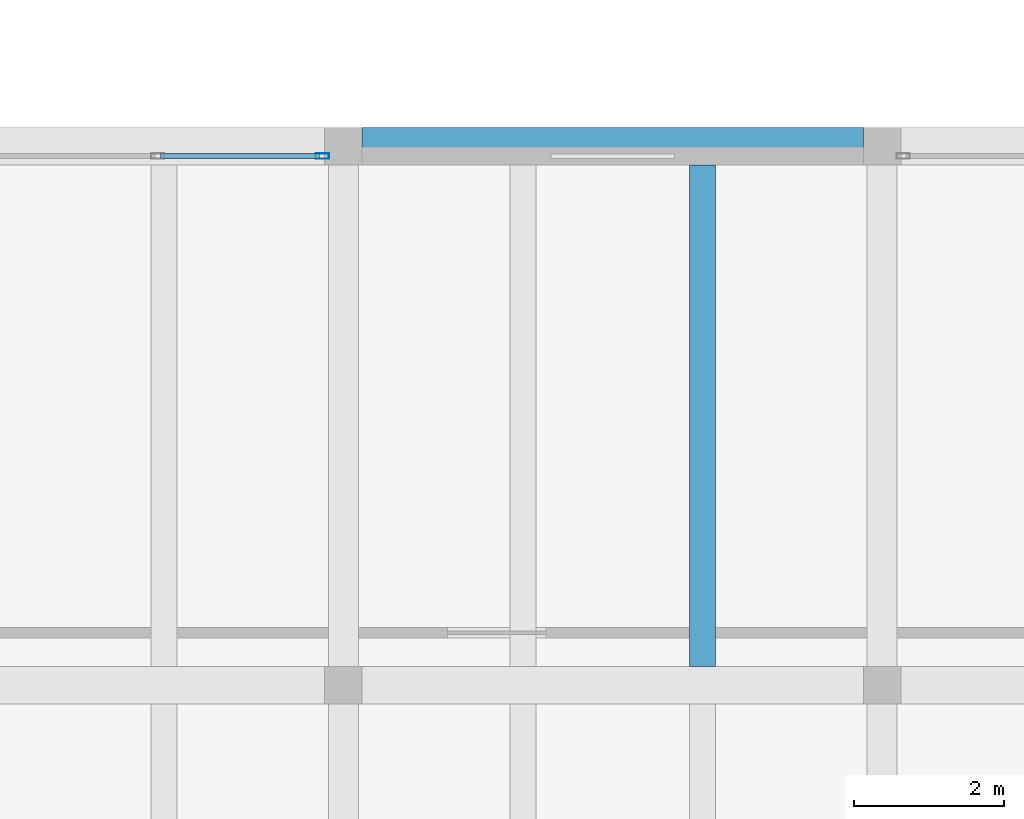
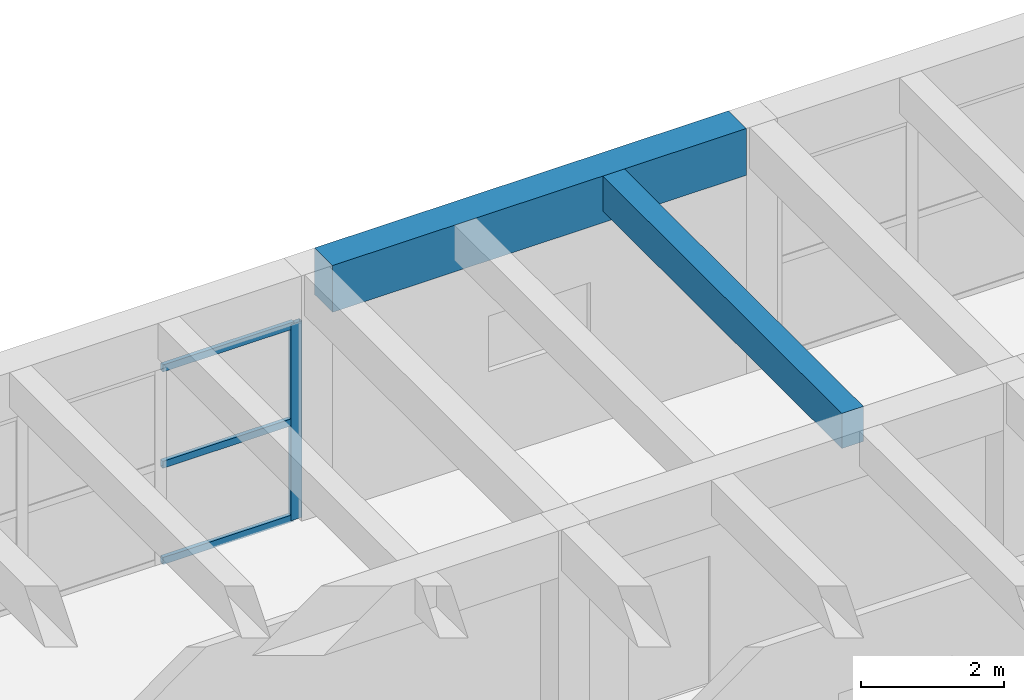
# One storey, part 58 of 153: 4 members, 2 beams, 1 element without a shape of its own.
"""IFC4 building model written with IfcOpenShell, lengths in metres."""

from ifc_helpers import new_model, si_unit, direction, frame, origin, origin_2d, place, context, subcontext, project, spatial, rectangle, hollow_rectangle, extrude, material, material_profile, profile_set, type_object, element, aggregate, save


model = new_model("IFC4")

# Units and contexts
model_context = context("Model", 3, precision=1e-05, world=origin(), true_north=direction((0.0, 1.0)))
body_context = subcontext(model_context, "Body", "Model", "MODEL_VIEW")
ifc_project = project(units=[si_unit("LENGTHUNIT", "METRE"), si_unit("AREAUNIT", "SQUARE_METRE"), si_unit("VOLUMEUNIT", "CUBIC_METRE"), si_unit("PLANEANGLEUNIT", "RADIAN"), si_unit("MASSUNIT", "GRAM", prefix="KILO")], contexts=[model_context])

# Site, building, storey
site_placement = place(None, origin())
site = spatial("IfcSite", under=ifc_project, at=site_placement, CompositionType="ELEMENT")
building_placement = place(site_placement, origin())
building = spatial("IfcBuilding", under=site, at=building_placement, Name="Bramvelor Terrace Health Centre", CompositionType="ELEMENT")
storey_placement = place(building_placement, frame((0.0, 0.0, 4.800048828125)))
storey = spatial("IfcBuildingStorey", under=building, at=storey_placement, Name="L02", CompositionType="ELEMENT", Elevation=4.800048828125)

# Beams
ifc_material_1 = material(Name="Concrete C40/50", Category="concrete")
ifc_material_profile_1 = material_profile(ifc_material_1, rectangle(XDim=0.5, YDim=0.800048828125, at=origin_2d()), Name="RC 500x800")
ifc_profile_set_1 = profile_set([ifc_material_profile_1], Name="Concrete C40/50")
beam_type_1 = type_object("IfcBeamType", Name="BM-RC-G800", PredefinedType="BEAM", material=ifc_profile_set_1)
beam_1_placement = place(storey_placement, frame((122.64990234375, 64.800048828125, 3.800048828125), z_axis=(1.0, 0.0, 0.0), x_axis=(0.0, 1.0, 0.0)))
element("IfcBeam", 1, at=beam_1_placement, inside=storey, type_object=beam_type_1, Name="L02 Floor Girder", PredefinedType="BEAM", context=body_context, shape_type="SweptSolid", body=[
    extrude(rectangle(XDim=0.5, YDim=0.800048828125, at=origin_2d()), origin(), (0.0, 0.0, 1.0), 6.7001953125),
])
ifc_material_2 = material(Name="Concrete C40/50", Category="concrete")
ifc_material_profile_2 = material_profile(ifc_material_2, rectangle(XDim=0.35009765625, YDim=0.60009765625, at=origin_2d()), Name="RC 350x600")
ifc_profile_set_2 = profile_set([ifc_material_profile_2], Name="Concrete C40/50")
beam_type_2 = type_object("IfcBeamType", Name="BM-RC-J600", PredefinedType="JOIST", material=ifc_profile_set_2)
beam_2_placement = place(storey_placement, frame((127.199951171875, 57.85009765625, 3.89990234375), z_axis=(0.0, 1.0, 0.0), x_axis=(-1.0, 0.0, 0.0)))
element("IfcBeam", 2, at=beam_2_placement, inside=storey, type_object=beam_type_2, Name="L02 Secondary Floor Joist", PredefinedType="JOIST", context=body_context, shape_type="SweptSolid", body=[
    extrude(rectangle(XDim=0.35009765625, YDim=0.60009765625, at=origin_2d()), origin(), (0.0, 0.0, 1.0), 6.699951171875),
])

# Curtain wall, members
ifc_material_3 = material(Name="Anodized aluminium and double low-E glass", Category="aluminium")
curtain_wall_type = type_object("IfcCurtainWallType", Name="CW-SYS-16", PredefinedType="NOTDEFINED", material=ifc_material_3)
curtain_wall_placement = place(storey_placement, origin())
curtain_wall = element("IfcCurtainWall", 3, at=curtain_wall_placement, inside=storey, type_object=curtain_wall_type, Name="L02 Unitized Curtain Wall 102", PredefinedType="NOTDEFINED")
ifc_material_4 = material(Name="Anodized aluminium 6063-T6", Category="aluminium")
ifc_material_profile_3 = material_profile(ifc_material_4, hollow_rectangle(XDim=0.074951171875, YDim=0.179931640625, WallThickness=0.00341796875, at=origin_2d()), Name="ALU-MUL 75x180x3.5")
ifc_profile_set_3 = profile_set([ifc_material_profile_3], Name="Anodized aluminium 6063-T6")
member_type_1 = type_object("IfcMemberType", Name="CW-MUL-65x180", PredefinedType="MULLION", material=ifc_profile_set_3)
member_1_placement = place(storey_placement, frame((122.117431640625, 64.669921875, 0.0), z_axis=(0.0, 0.0, 1.0), x_axis=(0.0, 1.0, 0.0)))
member_1 = element("IfcMember", 4, at=member_1_placement, type_object=member_type_1, Name="CW-16 mullion 4", PredefinedType="MULLION", context=body_context, shape_type="SweptSolid", body=[
    extrude(hollow_rectangle(XDim=0.074951171875, YDim=0.179931640625, WallThickness=0.00341796875, at=origin_2d()), origin(), (0.0, 0.0, 1.0), 3.35986328125),
])
ifc_material_5 = material(Name="Anodized aluminium 6063-T6", Category="aluminium")
ifc_material_profile_4 = material_profile(ifc_material_5, hollow_rectangle(XDim=0.06494140625, YDim=0.1201171875, WallThickness=0.0029296875, at=origin_2d()), Name="ALU-TRN 65x120x3.0")
ifc_profile_set_4 = profile_set([ifc_material_profile_4], Name="Anodized aluminium 6063-T6")
member_type_2 = type_object("IfcMemberType", Name="CW-TRN-65x150", PredefinedType="USERDEFINED", material=ifc_profile_set_4)
member_2_placement = place(storey_placement, frame((119.955810546875, 64.669921875, 0.032470703125), z_axis=(1.0, 0.0, 0.0), x_axis=(0.0, 1.0, 0.0)))
member_2 = element("IfcMember", 5, at=member_2_placement, type_object=member_type_2, Name="CW-16 transom 3.1", ObjectType="TRANSOM", PredefinedType="USERDEFINED", context=body_context, shape_type="SweptSolid", body=[
    extrude(hollow_rectangle(XDim=0.06494140625, YDim=0.1201171875, WallThickness=0.0029296875, at=origin_2d()), origin(), (0.0, 0.0, 1.0), 2.124267578125),
])
member_3_placement = place(storey_placement, frame((119.955810546875, 64.669921875, 1.679931640625), z_axis=(1.0, 0.0, 0.0), x_axis=(0.0, 1.0, 0.0)))
member_3 = element("IfcMember", 6, at=member_3_placement, type_object=member_type_2, Name="CW-16 transom 3.2", ObjectType="TRANSOM", PredefinedType="USERDEFINED", context=body_context, shape_type="SweptSolid", body=[
    extrude(hollow_rectangle(XDim=0.06494140625, YDim=0.1201171875, WallThickness=0.0029296875, at=origin_2d()), origin(), (0.0, 0.0, 1.0), 2.124267578125),
])
member_4_placement = place(storey_placement, frame((119.955810546875, 64.669921875, 3.327392578125), z_axis=(1.0, 0.0, 0.0), x_axis=(0.0, 1.0, 0.0)))
member_4 = element("IfcMember", 7, at=member_4_placement, type_object=member_type_2, Name="CW-16 transom 3.3", ObjectType="TRANSOM", PredefinedType="USERDEFINED", context=body_context, shape_type="SweptSolid", body=[
    extrude(hollow_rectangle(XDim=0.06494140625, YDim=0.1201171875, WallThickness=0.0029296875, at=origin_2d()), origin(), (0.0, 0.0, 1.0), 2.124267578125),
])
aggregate(curtain_wall, [member_1, member_2, member_3, member_4])

save(model, "model.ifc")
